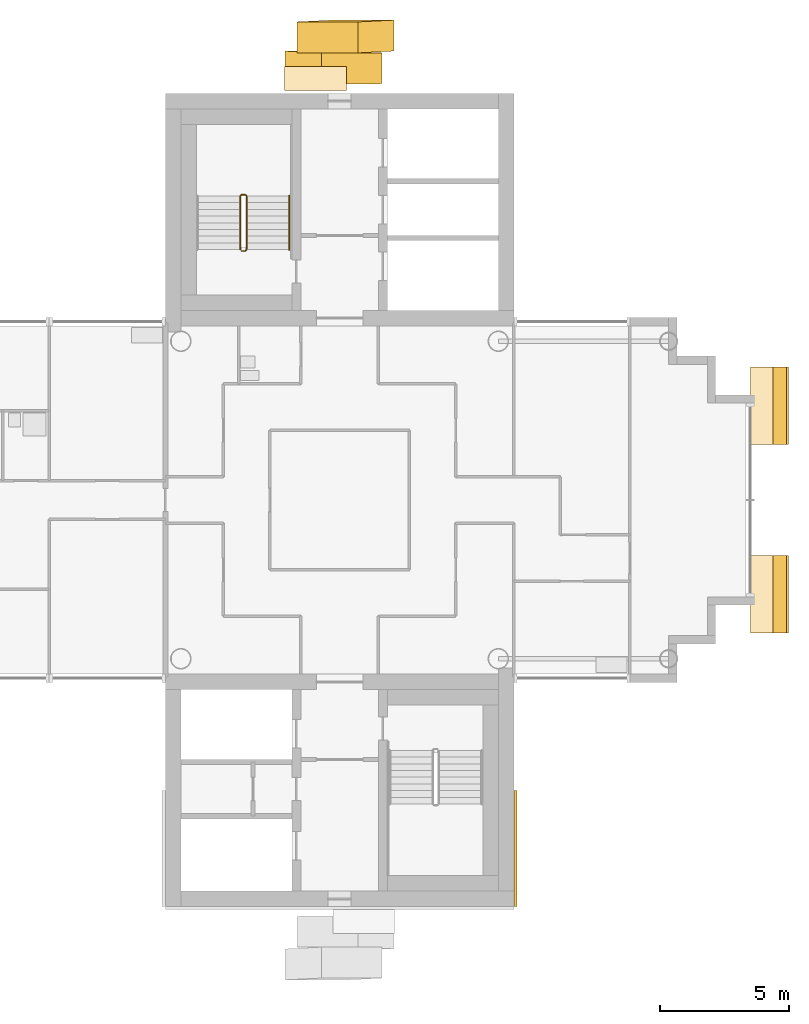
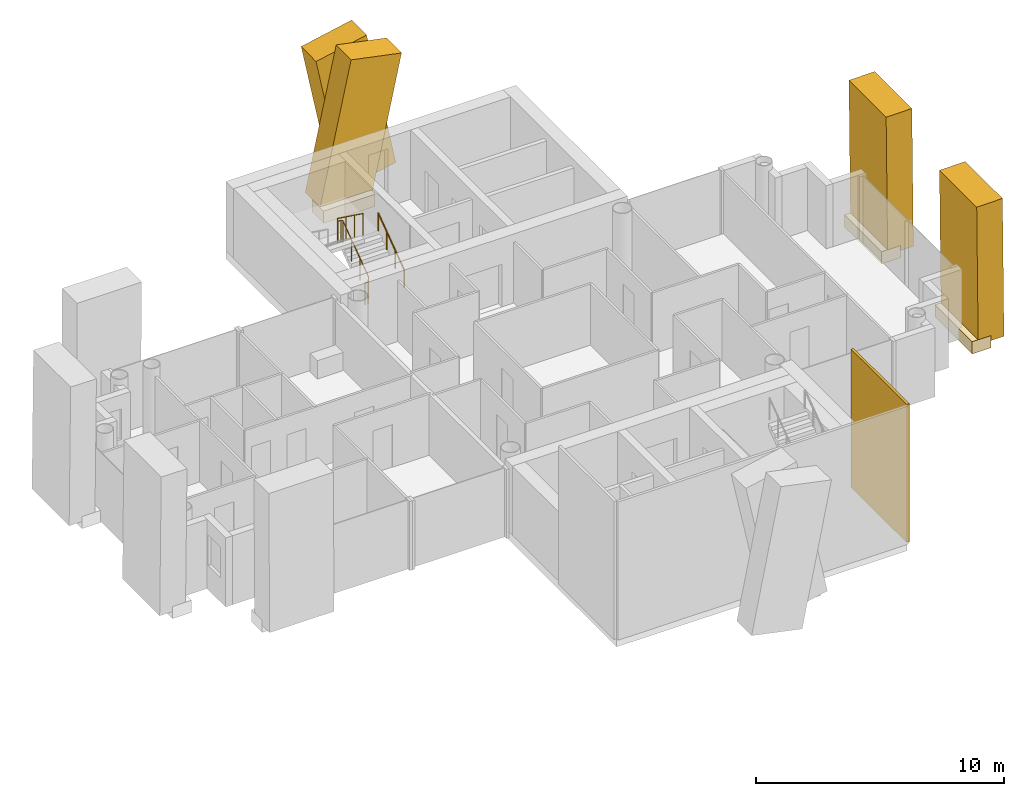
# One storey, part 17 of 18: 8 coverings, 2 railings.
"""IFC4 building model written with IfcOpenShell, lengths in metres."""

from ifc_helpers import new_model, si_unit, direction, frame, origin, origin_2d, place, context, subcontext, project, spatial, rectangle, circle, extrude, material, layer, layer_set, material_profile, profile_set, type_object, element, save


model = new_model("IFC4")

# Units and contexts
model_context = context("Model", 3, precision=1e-05, world=origin(), true_north=direction((0.0, 1.0)))
body_context = subcontext(model_context, "Body", "Model", "MODEL_VIEW")
ifc_project = project(units=[si_unit("LENGTHUNIT", "METRE"), si_unit("AREAUNIT", "SQUARE_METRE"), si_unit("VOLUMEUNIT", "CUBIC_METRE"), si_unit("PLANEANGLEUNIT", "RADIAN"), si_unit("MASSUNIT", "GRAM", prefix="KILO")], contexts=[model_context])

# Site, building, storey
site_placement = place(None, origin())
site = spatial("IfcSite", under=ifc_project, at=site_placement, CompositionType="ELEMENT")
building_placement = place(site_placement, origin())
building = spatial("IfcBuilding", under=site, at=building_placement, Name="Ipe Terrace Towers", CompositionType="ELEMENT")
storey_placement = place(building_placement, frame((0.0, 0.0, 202.800048828125)))
storey = spatial("IfcBuildingStorey", under=building, at=storey_placement, Name="L56", CompositionType="ELEMENT", Elevation=202.800048828125)

# Coverings
ifc_material_1 = material(Name="Concrete C50/60 precast, buff finish", Category="concrete")
ifc_layer = layer(ifc_material_1, 0.1201171875)
ifc_layer_set = layer_set([ifc_layer], Name="STONE CORE CLADDING 120")
covering_type_1 = type_object("IfcCoveringType", Name="STONE CORE CLADDING 120", PredefinedType="CLADDING", material=ifc_layer_set)
covering_1_placement = place(storey_placement, frame((42.81005859375, -13.5, 0.0), z_axis=(0.0, 0.0, 1.0), x_axis=(0.0, 1.0, 0.0)))
element("IfcCovering", 1, at=covering_1_placement, inside=storey, type_object=covering_type_1, Name="stone core cladding", PredefinedType="CLADDING", context=body_context, shape_type="SweptSolid", body=[
    extrude(rectangle(XDim=4.5, YDim=0.1201171875, at=origin_2d()), origin(), (0.0, 0.0, 1.0), 6.800048828125),
])
ifc_material_2 = material(Name="Concrete C50/60 precast, buff finish", Category="concrete")
ifc_material_profile_1 = material_profile(ifc_material_2, rectangle(XDim=2.39990234375, YDim=1.199951171875, at=origin_2d()), Name="STONE FIN 2400 x 1200")
ifc_profile_set_1 = profile_set([ifc_material_profile_1], Name="Concrete C50/60 precast, buff finish")
covering_type_2 = type_object("IfcCoveringType", Name="STONE FIN 2400 x 1200", PredefinedType="USERDEFINED", material=ifc_profile_set_1)
for number, where, z_axis, x_axis, name in (
    (2, (36.93603515625, 17.993896484375, 0.0), (-0.202201215103, -0.010055563818, 0.979292374241), (-0.979343999119, 0.002076131794, -0.202190556322), "stone fin"),
    (3, (35.06396484375, 16.7939453125, 0.0), (0.202201215103, -0.010055563818, 0.979292374241), (-0.979343999119, -0.002076131794, 0.202190556322), "stone fin"),
):
    element("IfcCovering", number, at=place(storey_placement, frame(where, z_axis=z_axis, x_axis=x_axis)), inside=storey, type_object=covering_type_2, Name=name, ObjectType="FIN", PredefinedType="USERDEFINED", context=body_context, shape_type="SweptSolid", body=[
        extrude(rectangle(XDim=2.39990234375, YDim=1.199951171875, at=origin_2d()), origin(), (0.0, 0.0, 1.0), 6.94384765625),
    ])
ifc_material_3 = material(Name="Concrete C50/60 precast, buff finish", Category="concrete")
ifc_material_profile_2 = material_profile(ifc_material_3, rectangle(XDim=3.0, YDim=1.199951171875, at=origin_2d()), Name="STONE FIN CORNER 3000 x 1200")
ifc_profile_set_2 = profile_set([ifc_material_profile_2], Name="Concrete C50/60 precast, buff finish")
covering_type_3 = type_object("IfcCoveringType", Name="STONE FIN CORNER 3000 x 1200", PredefinedType="USERDEFINED", material=ifc_profile_set_2)
for number, where, z_axis, x_axis, name in (
    (4, (52.7939453125, -3.64990234375, 0.0), (-0.010267652457, 0.0, 0.999947286267), (0.0, 1.0, 0.0), "stone fin"),
    (5, (52.7939453125, 3.64990234375, 0.0), (-0.010267652457, 0.0, 0.999947286267), (0.0, 1.0, 0.0), "stone fin"),
):
    element("IfcCovering", number, at=place(storey_placement, frame(where, z_axis=z_axis, x_axis=x_axis)), inside=storey, type_object=covering_type_3, Name=name, ObjectType="FIN", PredefinedType="USERDEFINED", context=body_context, shape_type="SweptSolid", body=[
        extrude(rectangle(XDim=3.0, YDim=1.199951171875, at=origin_2d()), origin(), (0.0, 0.0, 1.0), 6.80029296875),
    ])
ifc_material_4 = material(Name="Concrete C50/60 precast, buff finish", Category="concrete")
covering_type_4 = type_object("IfcCoveringType", Name="STONE FIN SHELF 2400 x 600", PredefinedType="CLADDING", material=ifc_material_4)
covering_2_placement = place(storey_placement, frame((35.06396484375, 16.326904296875, -0.35009765625), z_axis=(0.0, 0.0, 1.0), x_axis=(-1.0, 0.0, 0.0)))
element("IfcCovering", 6, at=covering_2_placement, inside=storey, type_object=covering_type_4, Name="stone fin shelf", PredefinedType="CLADDING", context=body_context, shape_type="SweptSolid", body=[
    extrude(rectangle(XDim=2.39990234375, YDim=0.93408203125, at=origin_2d()), origin(), (0.0, 0.0, 1.0), 0.60009765625),
])
ifc_material_5 = material(Name="Concrete C50/60 precast, buff finish", Category="concrete")
covering_type_5 = type_object("IfcCoveringType", Name="STONE FIN SHELF 3000 x 600", PredefinedType="CLADDING", material=ifc_material_5)
for number, where, z_axis, x_axis, name in (
    (7, (52.35498046875, -3.64990234375, -0.35009765625), (0.0, 0.0, 1.0), (0.0, 1.0, 0.0), "stone fin shelf"),
    (8, (52.35498046875, 3.64990234375, -0.35009765625), (0.0, 0.0, 1.0), (0.0, 1.0, 0.0), "stone fin shelf"),
):
    element("IfcCovering", number, at=place(storey_placement, frame(where, z_axis=z_axis, x_axis=x_axis)), inside=storey, type_object=covering_type_5, Name=name, PredefinedType="CLADDING", context=body_context, shape_type="SweptSolid", body=[
        extrude(rectangle(XDim=3.0, YDim=0.8779296875, at=origin_2d()), origin(), (0.0, 0.0, 1.0), 0.60009765625),
    ])

# Railings
ifc_material_6 = material(Name="Steel S355", Category="steel")
railing_type_1 = type_object("IfcRailingType", Name="Stair guard 1100", PredefinedType="GUARDRAIL", material=ifc_material_6)
railing_1_placement = place(storey_placement, frame((32.199951171875, 9.64990234375, 0.0)))
element("IfcRailing", 9, at=railing_1_placement, inside=storey, type_object=railing_type_1, Name="L56 T2-ST1 stair guard 1", PredefinedType="GUARDRAIL", context=body_context, shape_type="SweptSolid", body=[
    extrude(circle(Radius=0.02392578125, at=origin_2d()), frame((0.0, 0.0, 1.076171875), z_axis=(1.0, 0.0, 0.0), x_axis=(0.0, 1.0, 0.0)), (0.0, 0.0, 1.0), 0.150146484375),
    extrude(circle(Radius=0.02392578125, at=origin_2d()), frame((0.150146484375, 0.0, 1.076171875), z_axis=(0.247173786771, 0.248385422981, 0.936594790069), x_axis=(-0.708833529934, 0.705375805398, 0.0)), (0.0, 0.0, 1.0), 0.201416015625),
    extrude(circle(Radius=0.02392578125, at=origin_2d()), frame((0.199951171875, 0.050048828125, 1.2646484375), z_axis=(0.0, 0.809023421508, 0.587776406001), x_axis=(-1.0, 0.0, 0.0)), (0.0, 0.0, 1.0), 2.571044921875),
    extrude(circle(Radius=0.02392578125, at=origin_2d()), frame((0.199951171875, 2.130126953125, 2.77587890625), z_axis=(-0.705375805398, 0.708833529934, 0.0), x_axis=(-0.708833529934, -0.705375805398, 0.0)), (0.0, 0.0, 1.0), 0.070556640625),
    extrude(circle(Radius=0.02392578125, at=origin_2d()), frame((0.150146484375, 2.18017578125, 2.77587890625), z_axis=(-1.0, 0.0, 0.0), x_axis=(0.0, -1.0, 0.0)), (0.0, 0.0, 1.0), 0.150146484375),
    extrude(circle(Radius=0.02392578125, at=origin_2d()), frame((0.0, 2.18017578125, 2.77587890625), z_axis=(-0.248029566107, -0.248029566107, 0.936462849596), x_axis=(0.707106781187, -0.707106781187, 0.0)), (0.0, 0.0, 1.0), 0.201904296875),
    extrude(circle(Radius=0.02392578125, at=origin_2d()), frame((-0.050048828125, 2.130126953125, 2.96484375), z_axis=(0.0, -0.809068575486, 0.587714250432), x_axis=(1.0, 0.0, 0.0)), (0.0, 0.0, 1.0), 2.571044921875),
    extrude(circle(Radius=0.02099609375, at=origin_2d()), origin(), (0.0, 0.0, 1.0), 1.052001953125),
    extrude(circle(Radius=0.02099609375, at=origin_2d()), frame((0.150146484375, 0.0, 0.0)), (0.0, 0.0, 1.0), 1.052001953125),
    extrude(circle(Radius=0.02099609375, at=origin_2d()), frame((0.199951171875, 0.050048828125, 0.188720703125)), (0.0, 0.0, 1.0), 1.052001953125),
    extrude(circle(Radius=0.02099609375, at=origin_2d()), frame((0.199951171875, 0.743408203125, 0.6923828125)), (0.0, 0.0, 1.0), 1.052001953125),
    extrude(circle(Radius=0.02099609375, at=origin_2d()), frame((0.199951171875, 1.436767578125, 1.1962890625)), (0.0, 0.0, 1.0), 1.052001953125),
    extrude(circle(Radius=0.02099609375, at=origin_2d()), frame((0.199951171875, 2.130126953125, 1.699951171875)), (0.0, 0.0, 1.0), 1.052001953125),
    extrude(circle(Radius=0.02099609375, at=origin_2d()), frame((0.150146484375, 2.18017578125, 1.699951171875)), (0.0, 0.0, 1.0), 1.052001953125),
    extrude(circle(Radius=0.02099609375, at=origin_2d()), frame((0.0, 2.18017578125, 1.699951171875)), (0.0, 0.0, 1.0), 1.052001953125),
    extrude(circle(Radius=0.02099609375, at=origin_2d()), frame((-0.050048828125, 2.130126953125, 1.888916015625)), (0.0, 0.0, 1.0), 1.052001953125),
    extrude(circle(Radius=0.02099609375, at=origin_2d()), frame((-0.050048828125, 1.436767578125, 2.392578125)), (0.0, 0.0, 1.0), 1.052001953125),
    extrude(circle(Radius=0.02099609375, at=origin_2d()), frame((-0.050048828125, 0.743408203125, 2.896240234375)), (0.0, 0.0, 1.0), 1.052001953125),
    extrude(circle(Radius=0.02099609375, at=origin_2d()), frame((-0.050048828125, 0.050048828125, 3.39990234375)), (0.0, 0.0, 1.0), 1.052001953125),
])
ifc_material_7 = material(Name="Stainless steel grade 304", Category="steel")
railing_type_2 = type_object("IfcRailingType", Name="Stair handrail 900", PredefinedType="HANDRAIL", material=ifc_material_7)
railing_2_placement = place(storey_placement, frame((34.050048828125, 9.699951171875, 0.188720703125)))
element("IfcRailing", 10, at=railing_2_placement, inside=storey, type_object=railing_type_2, Name="L56 T2-ST1 stair handrail 1", PredefinedType="HANDRAIL", context=body_context, shape_type="SweptSolid", body=[
    extrude(circle(Radius=0.02392578125, at=origin_2d()), frame((0.0, 0.0, 0.8759765625), z_axis=(0.0, 0.809023421508, 0.587776406001), x_axis=(-1.0, 0.0, 0.0)), (0.0, 0.0, 1.0), 2.571044921875),
    extrude(circle(Radius=0.02099609375, at=origin_2d()), origin(), (0.0, 0.0, 1.0), 0.851806640625),
    extrude(circle(Radius=0.02099609375, at=origin_2d()), frame((0.0, 0.693359375, 0.503662109375)), (0.0, 0.0, 1.0), 0.851806640625),
    extrude(circle(Radius=0.02099609375, at=origin_2d()), frame((0.0, 1.38671875, 1.007568359375)), (0.0, 0.0, 1.0), 0.851806640625),
    extrude(circle(Radius=0.02099609375, at=origin_2d()), frame((0.0, 2.080078125, 1.51123046875)), (0.0, 0.0, 1.0), 0.851806640625),
])

save(model, "model.ifc")
